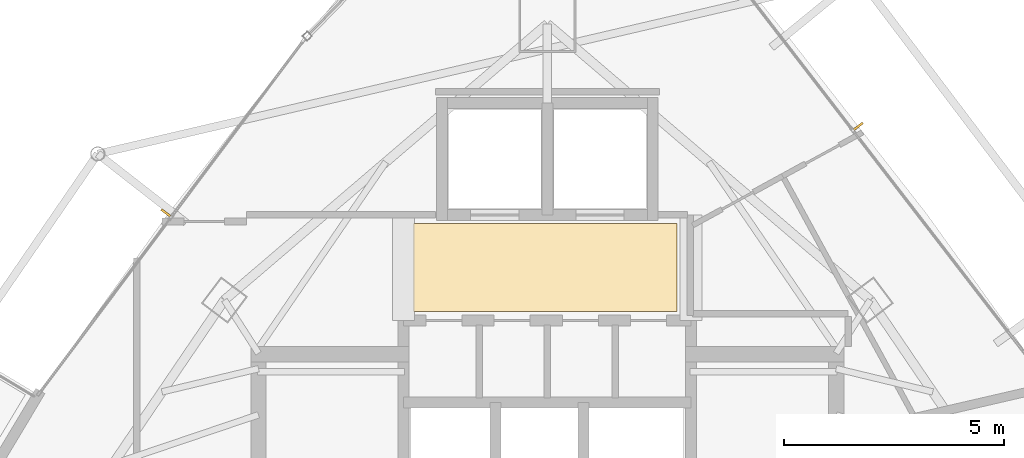
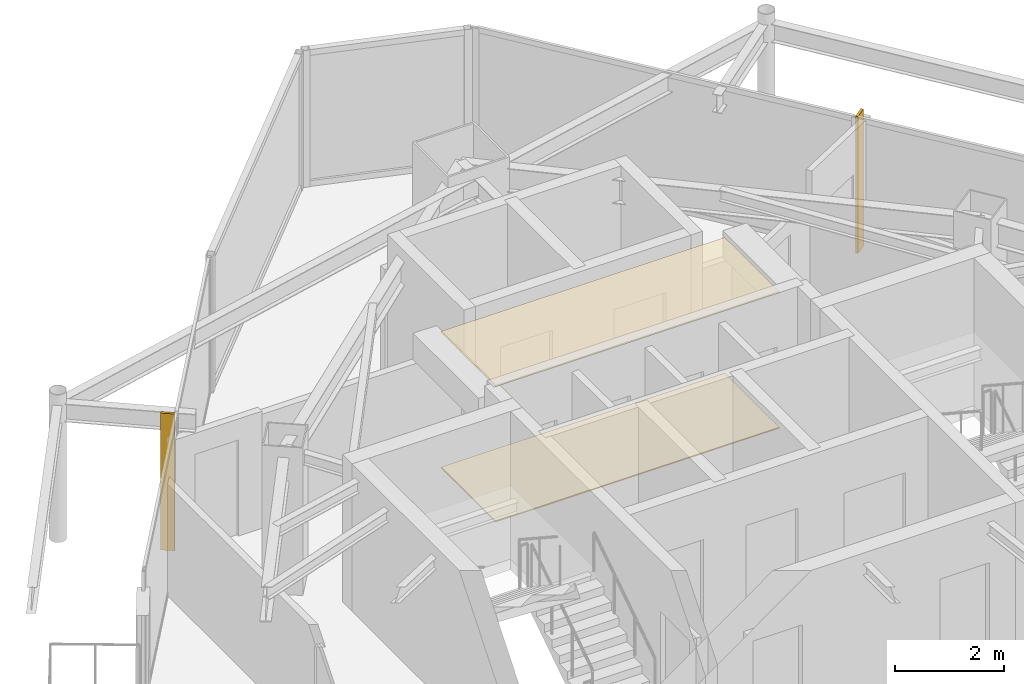
# One storey, part 32 of 32: 2 coverings, 2 shading devices.
"""IFC4 building model written with IfcOpenShell, lengths in metres."""

from ifc_helpers import new_model, si_unit, direction, frame, origin, origin_2d, place, context, subcontext, project, spatial, polyline, rectangle, outline, extrude, material, layer, layer_set, type_object, element, save


model = new_model("IFC4")

# Units and contexts
model_context = context("Model", 3, precision=1e-05, world=origin(), true_north=direction((0.0, 1.0)))
body_context = subcontext(model_context, "Body", "Model", "MODEL_VIEW")
ifc_project = project(units=[si_unit("LENGTHUNIT", "METRE"), si_unit("AREAUNIT", "SQUARE_METRE"), si_unit("VOLUMEUNIT", "CUBIC_METRE"), si_unit("PLANEANGLEUNIT", "RADIAN"), si_unit("MASSUNIT", "GRAM", prefix="KILO")], contexts=[model_context])

# Site, building, storey
site_placement = place(None, origin())
site = spatial("IfcSite", under=ifc_project, at=site_placement, CompositionType="ELEMENT")
building_placement = place(site_placement, origin())
building = spatial("IfcBuilding", under=site, at=building_placement, Name="Orvanel Arch Residences", CompositionType="ELEMENT")
storey_placement = place(building_placement, frame((0.0, 0.0, 219.5)))
storey = spatial("IfcBuildingStorey", under=building, at=storey_placement, Name="L62", CompositionType="ELEMENT", Elevation=219.5)

# Coverings
ifc_material_1 = material(Name="Perforated acoustic mineral-fibre ceiling tile", Category="gypsum")
ifc_layer_1 = layer(ifc_material_1, 0.034912109375)
ifc_layer_set_1 = layer_set([ifc_layer_1], Name="Perforated acoustic mineral-fibre ceiling tile")
covering_type_1 = type_object("IfcCoveringType", Name="COV-CLG-ACS35", PredefinedType="CEILING", material=ifc_layer_set_1)
covering_1_placement = place(storey_placement, frame((0.0, 0.0, 3.02490234375)))
element("IfcCovering", 1, at=covering_1_placement, inside=storey, type_object=covering_type_1, Name="L62 Lift Lobby Acoustic Ceiling", PredefinedType="CEILING", context=body_context, shape_type="SweptSolid", body=[
    extrude(outline(polyline([(29.949951171875, 34.85009765625), (35.949951171875, 34.85009765625), (35.949951171875, 36.85009765625), (29.949951171875, 36.85009765625), (29.949951171875, 34.85009765625)])), origin(), (0.0, 0.0, 1.0), 0.03515625),
])
ifc_material_2 = material(Name="Honed cementitious terrazzo floor finish", Category="concrete")
ifc_layer_2 = layer(ifc_material_2, 0.02490234375)
ifc_layer_set_2 = layer_set([ifc_layer_2], Name="Honed cementitious terrazzo floor finish")
covering_type_2 = type_object("IfcCoveringType", Name="COV-FLR-TRZ25", PredefinedType="FLOORING", material=ifc_layer_set_2)
covering_2_placement = place(storey_placement, origin())
element("IfcCovering", 2, at=covering_2_placement, inside=storey, type_object=covering_type_2, Name="L62 Lift Lobby Terrazzo Flooring", PredefinedType="FLOORING", context=body_context, shape_type="SweptSolid", body=[
    extrude(outline(polyline([(29.949951171875, 34.85009765625), (35.949951171875, 34.85009765625), (35.949951171875, 36.85009765625), (29.949951171875, 36.85009765625), (29.949951171875, 34.85009765625)])), origin(), (0.0, 0.0, 1.0), 0.02490234375),
])

# Shading devices
ifc_material_3 = material(Name="Bronze-anodised aluminium AA6063-T6", Category="aluminium")
ifc_layer_3 = layer(ifc_material_3, 0.050048828125)
ifc_layer_set_3 = layer_set([ifc_layer_3], Name="Bronze-anodised aluminium AA6063-T6")
shading_device_type = type_object("IfcShadingDeviceType", Name="FIN-BRZ-260", PredefinedType="USERDEFINED", material=ifc_layer_set_3)
for number, where, z_axis, x_axis, name in (
    (3, (24.31396484375, 37.096923828125, 0.0), (0.0, 0.0, 1.0), (-0.800731370949, 0.599023598516, 0.0), "L62 Anodised Bronze Mullion FIN 01"),
    (4, (40.077880859375, 39.06591796875, 0.0), (0.0, 0.0, 1.0), (0.792289643355, 0.610145163901, 0.0), "L62 Anodised Bronze Mullion FIN 01"),
):
    element("IfcShadingDevice", number, at=place(storey_placement, frame(where, z_axis=z_axis, x_axis=x_axis)), inside=storey, type_object=shading_device_type, Name=name, ObjectType="FIN", PredefinedType="USERDEFINED", context=body_context, shape_type="SweptSolid", body=[
        extrude(rectangle(XDim=0.260009765625, YDim=0.050048828125, at=origin_2d()), origin(), (0.0, 0.0, 1.0), 3.06005859375),
    ])

save(model, "model.ifc")
